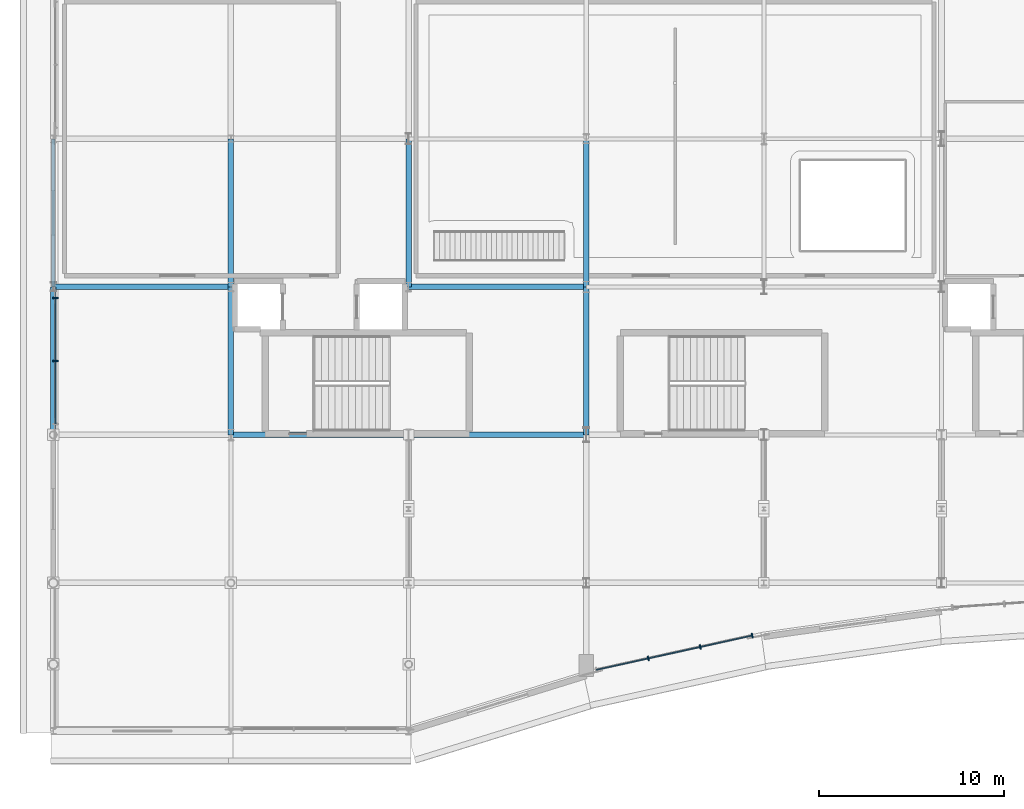
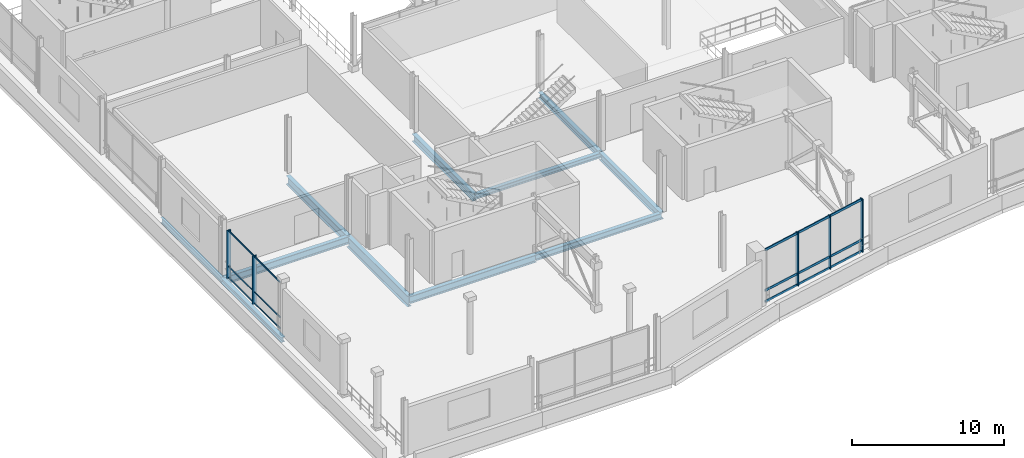
# One storey, part 26 of 193: 11 beams, 11 members, 2 elements without a shape of their own.
"""IFC4 building model written with IfcOpenShell, lengths in metres."""

from ifc_helpers import new_model, si_unit, direction, frame, origin, origin_2d, place, context, subcontext, project, spatial, rectangle, i_section, extrude, material, material_profile, profile_set, type_object, element, aggregate, save


model = new_model("IFC4")

# Units and contexts
model_context = context("Model", 3, precision=1e-05, world=origin(), true_north=direction((0.0, 1.0)))
body_context = subcontext(model_context, "Body", "Model", "MODEL_VIEW")
ifc_project = project(units=[si_unit("LENGTHUNIT", "METRE"), si_unit("AREAUNIT", "SQUARE_METRE"), si_unit("VOLUMEUNIT", "CUBIC_METRE"), si_unit("PLANEANGLEUNIT", "RADIAN"), si_unit("MASSUNIT", "GRAM", prefix="KILO")], contexts=[model_context])

# Site, building, storey
site_placement = place(None, origin())
site = spatial("IfcSite", under=ifc_project, at=site_placement, CompositionType="ELEMENT")
building_placement = place(site_placement, origin())
building = spatial("IfcBuilding", under=site, at=building_placement, Name="Danafjord Basin Convention Centre", CompositionType="ELEMENT")
storey_placement = place(building_placement, frame((0.0, 0.0, 11.39990234375)))
storey = spatial("IfcBuildingStorey", under=building, at=storey_placement, Name="L02", CompositionType="ELEMENT", Elevation=11.39990234375)

# Beams
ifc_material_1 = material(Name="Steel S355", Category="steel")
ifc_material_profile_1 = material_profile(ifc_material_1, i_section(OverallWidth=0.300048828125, OverallDepth=0.389892578125, WebThickness=0.010986328125, FlangeThickness=0.01904296875, FilletRadius=0.027099609375, at=origin_2d()), Name="HEA 400")
ifc_profile_set_1 = profile_set([ifc_material_profile_1], Name="Steel S355")
beam_type_1 = type_object("IfcBeamType", Name="BEAM-BM-HEA400", PredefinedType="BEAM", material=ifc_profile_set_1)
beam_1_placement = place(storey_placement, frame((19.199951171875, 24.0, -0.44482421875), z_axis=(1.0, 0.0, 0.0), x_axis=(0.0, 1.0, 0.0)))
element("IfcBeam", 1, at=beam_1_placement, inside=storey, type_object=beam_type_1, Name="L02 girder BM-HEA400", PredefinedType="BEAM", context=body_context, shape_type="SweptSolid", body=[
    extrude(i_section(OverallWidth=0.300048828125, OverallDepth=0.389892578125, WebThickness=0.010986328125, FlangeThickness=0.01904296875, FilletRadius=0.027099609375, at=origin_2d()), origin(), (0.0, 0.0, 1.0), 9.60009765625),
])
ifc_material_profile_2 = material_profile(ifc_material_1, i_section(OverallWidth=0.300048828125, OverallDepth=0.489990234375, WebThickness=0.011962890625, FlangeThickness=0.02294921875, FilletRadius=0.027099609375, at=origin_2d()), Name="HEA 500")
ifc_profile_set_2 = profile_set([ifc_material_profile_2], Name="Steel S355")
beam_type_2 = type_object("IfcBeamType", Name="BEAM-BM-HEA500", PredefinedType="BEAM", material=ifc_profile_set_2)
beam_2_placement = place(storey_placement, frame((19.199951171875, 16.0, -0.494873046875), z_axis=(1.0, 0.0, 0.0), x_axis=(0.0, 1.0, 0.0)))
element("IfcBeam", 2, at=beam_2_placement, inside=storey, type_object=beam_type_2, Name="L02 girder BM-HEA500", PredefinedType="BEAM", context=body_context, shape_type="SweptSolid", body=[
    extrude(i_section(OverallWidth=0.300048828125, OverallDepth=0.489990234375, WebThickness=0.011962890625, FlangeThickness=0.02294921875, FilletRadius=0.027099609375, at=origin_2d()), origin(), (0.0, 0.0, 1.0), 9.60009765625),
])
ifc_material_profile_3 = material_profile(ifc_material_1, i_section(OverallWidth=0.300048828125, OverallDepth=0.590087890625, WebThickness=0.012939453125, FlangeThickness=0.02490234375, FilletRadius=0.027099609375, at=origin_2d()), Name="HEA 600")
ifc_profile_set_3 = profile_set([ifc_material_profile_3], Name="Steel S355")
beam_type_3 = type_object("IfcBeamType", Name="BEAM-BM-HEA600", PredefinedType="BEAM", material=ifc_profile_set_3)
beam_3_placement = place(storey_placement, frame((0.0, 24.0, -0.544921875), z_axis=(1.0, 0.0, 0.0), x_axis=(0.0, 1.0, 0.0)))
element("IfcBeam", 3, at=beam_3_placement, inside=storey, type_object=beam_type_3, Name="L02 girder BM-HEA600", PredefinedType="BEAM", context=body_context, shape_type="SweptSolid", body=[
    extrude(i_section(OverallWidth=0.300048828125, OverallDepth=0.590087890625, WebThickness=0.012939453125, FlangeThickness=0.02490234375, FilletRadius=0.027099609375, at=origin_2d()), origin(), (0.0, 0.0, 1.0), 9.60009765625),
])
beam_4_placement = place(storey_placement, frame((9.60009765625, 16.0, -0.544921875), z_axis=(1.0, 0.0, 0.0), x_axis=(0.0, 1.0, 0.0)))
element("IfcBeam", 4, at=beam_4_placement, inside=storey, type_object=beam_type_3, Name="L02 girder BM-HEA600", PredefinedType="BEAM", context=body_context, shape_type="SweptSolid", body=[
    extrude(i_section(OverallWidth=0.300048828125, OverallDepth=0.590087890625, WebThickness=0.012939453125, FlangeThickness=0.02490234375, FilletRadius=0.027099609375, at=origin_2d()), origin(), (0.0, 0.0, 1.0), 9.599853515625),
])
ifc_material_profile_4 = material_profile(ifc_material_1, i_section(OverallWidth=0.300048828125, OverallDepth=0.5, WebThickness=0.014404296875, FlangeThickness=0.028076171875, FilletRadius=0.027099609375, at=origin_2d()), Name="HEB 500")
ifc_profile_set_4 = profile_set([ifc_material_profile_4], Name="Steel S355")
beam_type_4 = type_object("IfcBeamType", Name="BEAM-BM-HEB500", PredefinedType="BEAM", material=ifc_profile_set_4)
beam_5_placement = place(storey_placement, frame((28.800048828125, 24.0, -0.5), z_axis=(0.0, 1.0, 0.0), x_axis=(-1.0, 0.0, 0.0)))
element("IfcBeam", 5, at=beam_5_placement, inside=storey, type_object=beam_type_4, Name="L02 transverse girder BM-HEB500", PredefinedType="BEAM", context=body_context, shape_type="SweptSolid", body=[
    extrude(i_section(OverallWidth=0.300048828125, OverallDepth=0.5, WebThickness=0.014404296875, FlangeThickness=0.028076171875, FilletRadius=0.027099609375, at=origin_2d()), origin(), (0.0, 0.0, 1.0), 8.0),
])
ifc_material_profile_5 = material_profile(ifc_material_1, i_section(OverallWidth=0.300048828125, OverallDepth=0.60009765625, WebThickness=0.015380859375, FlangeThickness=0.030029296875, FilletRadius=0.027099609375, at=origin_2d()), Name="HEB 600")
ifc_profile_set_5 = profile_set([ifc_material_profile_5], Name="Steel S355")
beam_type_5 = type_object("IfcBeamType", Name="BEAM-BM-HEB600", PredefinedType="BEAM", material=ifc_profile_set_5)
for number, where, z_axis, x_axis, name in (
    (6, (19.199951171875, 24.0, -0.5498046875), (0.0, 1.0, 0.0), (-1.0, 0.0, 0.0), "L02 transverse girder BM-HEB600"),
    (7, (28.800048828125, 16.0, -0.5498046875), (0.0, 1.0, 0.0), (-1.0, 0.0, 0.0), "L02 transverse girder BM-HEB600"),
):
    element("IfcBeam", number, at=place(storey_placement, frame(where, z_axis=z_axis, x_axis=x_axis)), inside=storey, type_object=beam_type_5, Name=name, PredefinedType="BEAM", context=body_context, shape_type="SweptSolid", body=[
        extrude(i_section(OverallWidth=0.300048828125, OverallDepth=0.60009765625, WebThickness=0.015380859375, FlangeThickness=0.030029296875, FilletRadius=0.027099609375, at=origin_2d()), origin(), (0.0, 0.0, 1.0), 8.0),
    ])
ifc_material_profile_6 = material_profile(ifc_material_1, i_section(OverallWidth=0.300048828125, OverallDepth=0.699951171875, WebThickness=0.01708984375, FlangeThickness=0.031982421875, FilletRadius=0.027099609375, at=origin_2d()), Name="HEB 700")
ifc_profile_set_6 = profile_set([ifc_material_profile_6], Name="Steel S355")
beam_type_6 = type_object("IfcBeamType", Name="BEAM-BM-HEB700", PredefinedType="BEAM", material=ifc_profile_set_6)
beam_6_placement = place(storey_placement, frame((9.60009765625, 24.0, -0.599853515625), z_axis=(0.0, 1.0, 0.0), x_axis=(-1.0, 0.0, 0.0)))
element("IfcBeam", 8, at=beam_6_placement, inside=storey, type_object=beam_type_6, Name="L02 transverse girder BM-HEB700", PredefinedType="BEAM", context=body_context, shape_type="SweptSolid", body=[
    extrude(i_section(OverallWidth=0.300048828125, OverallDepth=0.699951171875, WebThickness=0.01708984375, FlangeThickness=0.031982421875, FilletRadius=0.027099609375, at=origin_2d()), origin(), (0.0, 0.0, 1.0), 8.0),
])
ifc_material_profile_7 = material_profile(ifc_material_1, i_section(OverallWidth=0.300048828125, OverallDepth=0.89990234375, WebThickness=0.0185546875, FlangeThickness=0.034912109375, FilletRadius=0.030029296875, at=origin_2d()), Name="HEB 900")
ifc_profile_set_7 = profile_set([ifc_material_profile_7], Name="Steel S355")
beam_type_7 = type_object("IfcBeamType", Name="BEAM-BM-HEB900", PredefinedType="BEAM", material=ifc_profile_set_7)
beam_7_placement = place(storey_placement, frame((9.60009765625, 16.0, -0.699951171875), z_axis=(0.0, 1.0, 0.0), x_axis=(-1.0, 0.0, 0.0)))
element("IfcBeam", 9, at=beam_7_placement, inside=storey, type_object=beam_type_7, Name="L02 transverse girder BM-HEB900", PredefinedType="BEAM", context=body_context, shape_type="SweptSolid", body=[
    extrude(i_section(OverallWidth=0.300048828125, OverallDepth=0.89990234375, WebThickness=0.0185546875, FlangeThickness=0.034912109375, FilletRadius=0.030029296875, at=origin_2d()), origin(), (0.0, 0.0, 1.0), 8.0),
])
ifc_material_profile_8 = material_profile(ifc_material_1, i_section(OverallWidth=0.300048828125, OverallDepth=0.39990234375, WebThickness=0.013427734375, FlangeThickness=0.02392578125, FilletRadius=0.027099609375, at=origin_2d()), Name="HEB 400")
ifc_profile_set_8 = profile_set([ifc_material_profile_8], Name="Steel S355")
beam_type_8 = type_object("IfcBeamType", Name="BEAM-SP-HEB400", PredefinedType="SPANDREL", material=ifc_profile_set_8)
beam_8_placement = place(storey_placement, frame((0.0, 16.0, -0.449951171875), z_axis=(0.0, 1.0, 0.0), x_axis=(-1.0, 0.0, 0.0)))
element("IfcBeam", 10, at=beam_8_placement, inside=storey, type_object=beam_type_8, Name="L02 transverse girder SP-HEB400", PredefinedType="SPANDREL", context=body_context, shape_type="SweptSolid", body=[
    extrude(i_section(OverallWidth=0.300048828125, OverallDepth=0.39990234375, WebThickness=0.013427734375, FlangeThickness=0.02392578125, FilletRadius=0.027099609375, at=origin_2d()), origin(), (0.0, 0.0, 1.0), 8.0),
])
ifc_material_profile_9 = material_profile(ifc_material_1, i_section(OverallWidth=0.18994140625, OverallDepth=0.449951171875, WebThickness=0.009521484375, FlangeThickness=0.0146484375, FilletRadius=0.02099609375, at=origin_2d()), Name="IPE 450")
ifc_profile_set_9 = profile_set([ifc_material_profile_9], Name="Steel S355")
beam_type_9 = type_object("IfcBeamType", Name="BEAM-SP-IPE450", PredefinedType="SPANDREL", material=ifc_profile_set_9)
beam_9_placement = place(storey_placement, frame((0.0, 24.0, -0.474853515625), z_axis=(0.0, 1.0, 0.0), x_axis=(-1.0, 0.0, 0.0)))
element("IfcBeam", 11, at=beam_9_placement, inside=storey, type_object=beam_type_9, Name="L02 transverse girder SP-IPE450", PredefinedType="SPANDREL", context=body_context, shape_type="SweptSolid", body=[
    extrude(i_section(OverallWidth=0.18994140625, OverallDepth=0.449951171875, WebThickness=0.009521484375, FlangeThickness=0.0146484375, FilletRadius=0.02099609375, at=origin_2d()), origin(), (0.0, 0.0, 1.0), 8.0),
])

# Curtain wall, members
ifc_material_2 = material(Name="Anodised aluminium and triple glazing", Category="aluminium")
curtain_wall_type_1 = type_object("IfcCurtainWallType", Name="CW-CW-HARB", PredefinedType="NOTDEFINED", material=ifc_material_2)
curtain_wall_1_placement = place(storey_placement, origin())
curtain_wall_1 = element("IfcCurtainWall", 12, at=curtain_wall_1_placement, inside=storey, type_object=curtain_wall_type_1, Name="L02 CW-HARB unitised curtain wall bay 23", PredefinedType="NOTDEFINED")
ifc_material_3 = material(Name="Anodised aluminium EN AW-6060", Category="aluminium")
ifc_material_profile_10 = material_profile(ifc_material_3, rectangle(XDim=0.070068359375, YDim=0.260009765625, at=origin_2d()), Name="MULL 70x260")
ifc_profile_set_10 = profile_set([ifc_material_profile_10], Name="Anodised aluminium EN AW-6060")
member_type_1 = type_object("IfcMemberType", Name="MEM-ML-260", PredefinedType="MULLION", material=ifc_profile_set_10)
member_1_placement = place(storey_placement, frame((32.15283203125, 3.920654296875, -0.02490234375), z_axis=(0.0, 0.0, 1.0), x_axis=(0.976623114167, 0.214958816695, 0.0)))
member_1 = element("IfcMember", 13, at=member_1_placement, type_object=member_type_1, Name="CW-L02-023 mullion 2", PredefinedType="MULLION", context=body_context, shape_type="SweptSolid", body=[
    extrude(rectangle(XDim=0.070068359375, YDim=0.260009765625, at=origin_2d()), origin(), (0.0, 0.0, 1.0), 4.304931640625),
])
member_2_placement = place(storey_placement, frame((34.962158203125, 4.5390625, -0.02490234375), z_axis=(0.0, 0.0, 1.0), x_axis=(0.976623114167, 0.214958816695, 0.0)))
member_2 = element("IfcMember", 14, at=member_2_placement, type_object=member_type_1, Name="CW-L02-023 mullion 3", PredefinedType="MULLION", context=body_context, shape_type="SweptSolid", body=[
    extrude(rectangle(XDim=0.070068359375, YDim=0.260009765625, at=origin_2d()), origin(), (0.0, 0.0, 1.0), 4.304931640625),
])
member_3_placement = place(storey_placement, frame((37.771484375, 5.1572265625, -0.02490234375), z_axis=(0.0, 0.0, 1.0), x_axis=(0.976623114167, 0.214958816695, 0.0)))
member_3 = element("IfcMember", 15, at=member_3_placement, type_object=member_type_1, Name="CW-L02-023 mullion 4", PredefinedType="MULLION", context=body_context, shape_type="SweptSolid", body=[
    extrude(rectangle(XDim=0.070068359375, YDim=0.260009765625, at=origin_2d()), origin(), (0.0, 0.0, 1.0), 4.304931640625),
])

curtain_wall_type_2 = type_object("IfcCurtainWallType", Name="CW-CW-TERR", PredefinedType="NOTDEFINED", material=ifc_material_2)
curtain_wall_2_placement = place(storey_placement, origin())
curtain_wall_2 = element("IfcCurtainWall", 16, at=curtain_wall_2_placement, inside=storey, type_object=curtain_wall_type_2, Name="L02 CW-TERR unitised curtain wall bay 69", PredefinedType="NOTDEFINED")
ifc_material_profile_11 = material_profile(ifc_material_3, rectangle(XDim=0.080078125, YDim=0.300048828125, at=origin_2d()), Name="MULL 80x300")
ifc_profile_set_11 = profile_set([ifc_material_profile_11], Name="Anodised aluminium EN AW-6060")
member_type_2 = type_object("IfcMemberType", Name="MEM-ML-300", PredefinedType="MULLION", material=ifc_profile_set_11)
member_4_placement = place(storey_placement, frame((0.1201171875, 23.39990234375, -0.02490234375), z_axis=(0.0, 0.0, 1.0), x_axis=(0.0, -1.0, 0.0)))
member_4 = element("IfcMember", 17, at=member_4_placement, type_object=member_type_2, Name="CW-L02-069 mullion 1", PredefinedType="MULLION", context=body_context, shape_type="SweptSolid", body=[
    extrude(rectangle(XDim=0.080078125, YDim=0.300048828125, at=origin_2d()), origin(), (0.0, 0.0, 1.0), 3.885009765625),
])
member_5_placement = place(storey_placement, frame((0.1201171875, 20.0, -0.02490234375), z_axis=(0.0, 0.0, 1.0), x_axis=(0.0, -1.0, 0.0)))
member_5 = element("IfcMember", 18, at=member_5_placement, type_object=member_type_2, Name="CW-L02-069 mullion 2", PredefinedType="MULLION", context=body_context, shape_type="SweptSolid", body=[
    extrude(rectangle(XDim=0.080078125, YDim=0.300048828125, at=origin_2d()), origin(), (0.0, 0.0, 1.0), 3.885009765625),
])
ifc_material_profile_12 = material_profile(ifc_material_3, rectangle(XDim=0.06005859375, YDim=0.110107421875, at=origin_2d()), Name="TRAN 60x110")
ifc_profile_set_12 = profile_set([ifc_material_profile_12], Name="Anodised aluminium EN AW-6060")
member_type_3 = type_object("IfcMemberType", Name="MEM-TR-110", PredefinedType="USERDEFINED", material=ifc_profile_set_12)
member_6_placement = place(storey_placement, frame((0.1201171875, 23.39990234375, 0.06005859375), z_axis=(0.0, -1.0, 0.0), x_axis=(1.0, 0.0, 0.0)))
member_6 = element("IfcMember", 19, at=member_6_placement, type_object=member_type_3, Name="CW-L02-069 transom 1", ObjectType="TRANSOM", PredefinedType="USERDEFINED", context=body_context, shape_type="SweptSolid", body=[
    extrude(rectangle(XDim=0.06005859375, YDim=0.110107421875, at=origin_2d()), origin(), (0.0, 0.0, 1.0), 6.7998046875),
])
member_7_placement = place(storey_placement, frame((0.1201171875, 23.39990234375, 0.9501953125), z_axis=(0.0, -1.0, 0.0), x_axis=(1.0, 0.0, 0.0)))
member_7 = element("IfcMember", 20, at=member_7_placement, type_object=member_type_3, Name="CW-L02-069 transom 2", ObjectType="TRANSOM", PredefinedType="USERDEFINED", context=body_context, shape_type="SweptSolid", body=[
    extrude(rectangle(XDim=0.06005859375, YDim=0.110107421875, at=origin_2d()), origin(), (0.0, 0.0, 1.0), 6.7998046875),
])
member_8_placement = place(storey_placement, frame((0.1201171875, 23.39990234375, 3.7900390625), z_axis=(0.0, -1.0, 0.0), x_axis=(1.0, 0.0, 0.0)))
member_8 = element("IfcMember", 21, at=member_8_placement, type_object=member_type_3, Name="CW-L02-069 transom 3", ObjectType="TRANSOM", PredefinedType="USERDEFINED", context=body_context, shape_type="SweptSolid", body=[
    extrude(rectangle(XDim=0.06005859375, YDim=0.110107421875, at=origin_2d()), origin(), (0.0, 0.0, 1.0), 6.7998046875),
])
aggregate(curtain_wall_2, [member_4, member_5, member_6, member_7, member_8])

# Member
ifc_material_profile_13 = material_profile(ifc_material_3, rectangle(XDim=0.06494140625, YDim=0.18994140625, at=origin_2d()), Name="TRAN 65x190")
ifc_profile_set_13 = profile_set([ifc_material_profile_13], Name="Anodised aluminium EN AW-6060")
member_type_4 = type_object("IfcMemberType", Name="MEM-TR-190", PredefinedType="USERDEFINED", material=ifc_profile_set_13)
member_9_placement = place(storey_placement, frame((29.343505859375, 3.30224609375, 0.06005859375), z_axis=(0.976624396642, 0.214952989939, 0.0), x_axis=(-0.214952989939, 0.976624396642, 0.0)))
member_9 = element("IfcMember", 22, at=member_9_placement, type_object=member_type_4, Name="CW-L02-023 transom 1", ObjectType="TRANSOM", PredefinedType="USERDEFINED", context=body_context, shape_type="SweptSolid", body=[
    extrude(rectangle(XDim=0.06494140625, YDim=0.18994140625, at=origin_2d()), origin(), (0.0, 0.0, 1.0), 8.629638671875),
])

member_10_placement = place(storey_placement, frame((29.343505859375, 3.30224609375, 0.9501953125), z_axis=(0.976624396642, 0.214952989939, 0.0), x_axis=(-0.214952989939, 0.976624396642, 0.0)))
member_10 = element("IfcMember", 23, at=member_10_placement, type_object=member_type_4, Name="CW-L02-023 transom 2", ObjectType="TRANSOM", PredefinedType="USERDEFINED", context=body_context, shape_type="SweptSolid", body=[
    extrude(rectangle(XDim=0.06494140625, YDim=0.18994140625, at=origin_2d()), origin(), (0.0, 0.0, 1.0), 8.629638671875),
])

member_11_placement = place(storey_placement, frame((29.343505859375, 3.30224609375, 4.210205078125), z_axis=(0.976624396642, 0.214952989939, 0.0), x_axis=(-0.214952989939, 0.976624396642, 0.0)))
member_11 = element("IfcMember", 24, at=member_11_placement, type_object=member_type_4, Name="CW-L02-023 transom 3", ObjectType="TRANSOM", PredefinedType="USERDEFINED", context=body_context, shape_type="SweptSolid", body=[
    extrude(rectangle(XDim=0.06494140625, YDim=0.18994140625, at=origin_2d()), origin(), (0.0, 0.0, 1.0), 8.629638671875),
])

aggregate(curtain_wall_1, [member_1, member_2, member_3, member_9, member_10, member_11])

save(model, "model.ifc")
